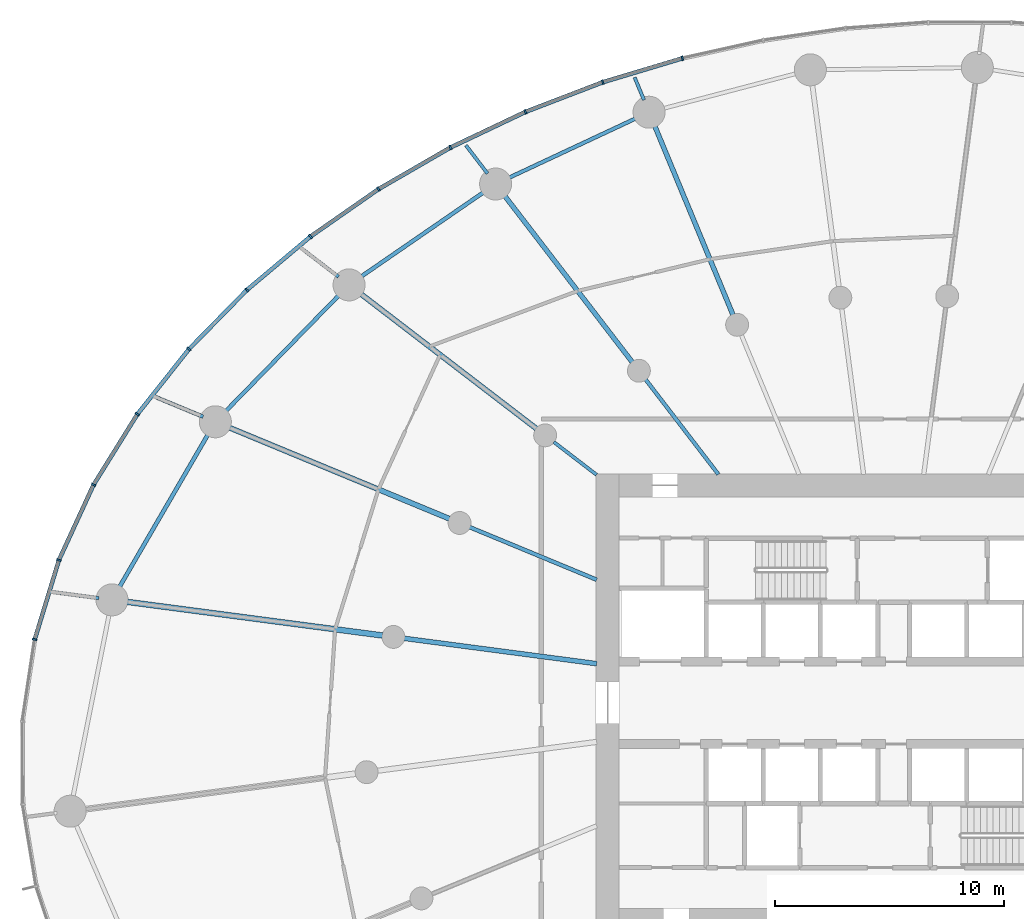
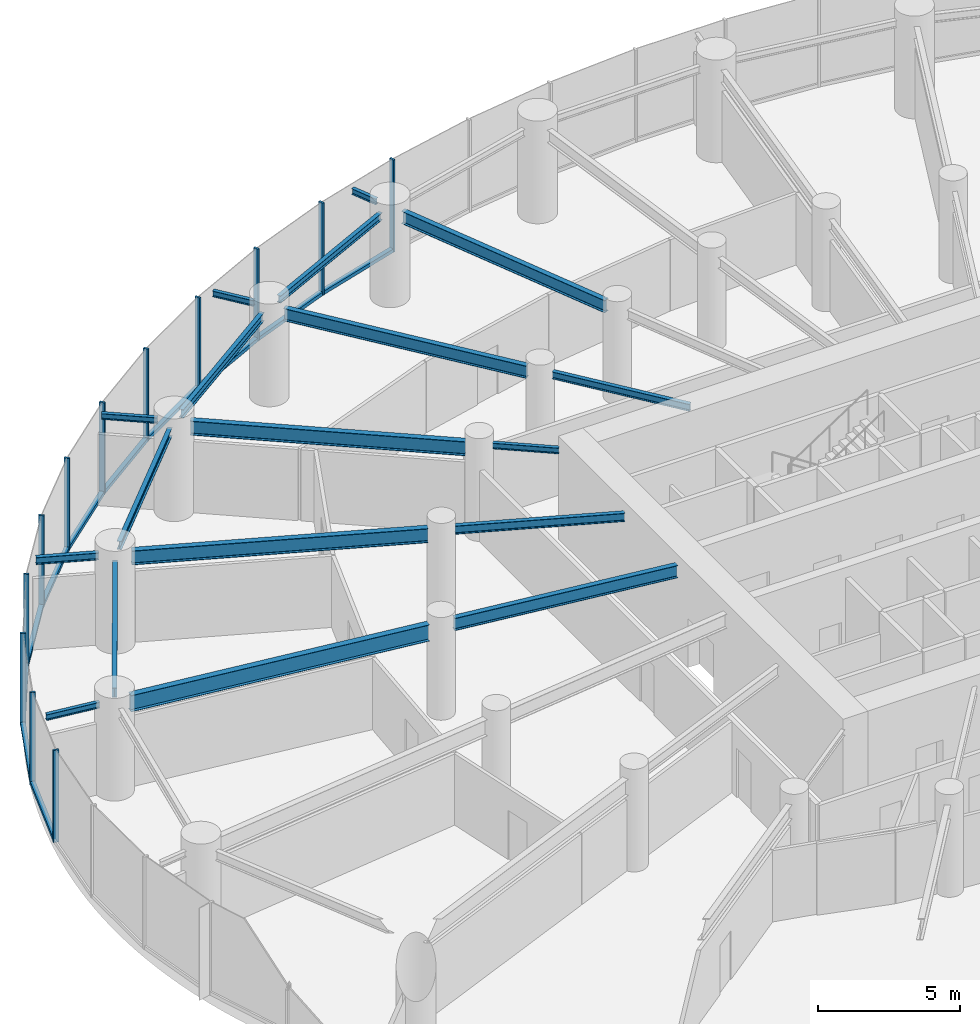
# One storey, part 6 of 19: 23 members, 18 beams, 3 elements without a shape of their own.
"""IFC4 building model written with IfcOpenShell, lengths in metres."""

from ifc_helpers import new_model, si_unit, direction, frame, origin, origin_2d, place, context, subcontext, project, spatial, rectangle, i_section, extrude, source, transform, mapped, material, layer, layer_set, material_profile, profile_set, type_object, element, aggregate, save


model = new_model("IFC4")

# Units and contexts
model_context = context("Model", 3, precision=1e-05, world=origin(), true_north=direction((0.0, 1.0)))
body_context = subcontext(model_context, "Body", "Model", "MODEL_VIEW")
ifc_project = project(units=[si_unit("LENGTHUNIT", "METRE"), si_unit("AREAUNIT", "SQUARE_METRE"), si_unit("VOLUMEUNIT", "CUBIC_METRE"), si_unit("PLANEANGLEUNIT", "RADIAN"), si_unit("MASSUNIT", "GRAM", prefix="KILO")], contexts=[model_context])

# Site, building, storey
site_placement = place(None, origin())
site = spatial("IfcSite", under=ifc_project, at=site_placement, CompositionType="ELEMENT")
building_placement = place(site_placement, origin())
building = spatial("IfcBuilding", under=site, at=building_placement, Name="Spindrift Exchange Tower", CompositionType="ELEMENT")
storey_placement = place(building_placement, frame((0.0, 0.0, 49.0)))
storey = spatial("IfcBuildingStorey", under=building, at=storey_placement, Name="L11", CompositionType="ELEMENT", Elevation=49.0)

# Beams
ifc_material_1 = material(Name="Steel Grade 300", Category="steel")
ifc_material_profile_1 = material_profile(ifc_material_1, i_section(OverallWidth=0.208984375, OverallDepth=0.532958984375, WebThickness=0.01025390625, FlangeThickness=0.015625, FilletRadius=0.013916015625, at=origin_2d()), Name="530UB92.4")
ifc_profile_set_1 = profile_set([ifc_material_profile_1], Name="Steel Grade 300")
beam_type_1 = type_object("IfcBeamType", Name="Floor Beam 530UB92.4 Steel Grade 300", PredefinedType="BEAM", material=ifc_profile_set_1)
shared_shape_1 = source(origin(), body_context, "Body", "SweptSolid", [
    extrude(i_section(OverallWidth=0.208984375, OverallDepth=0.532958984375, WebThickness=0.01025390625, FlangeThickness=0.015625, FilletRadius=0.013916015625, at=origin_2d()), origin(), (0.0, 0.0, 1.0), 8.99658203125),
])
beam_1_placement = place(storey_placement, frame((44.974609375, 64.9609375, 3.68359375), z_axis=(-0.382685731718, 0.923878580085, 0.0), x_axis=(-0.923878580085, -0.382685731718, 0.0)))
element("IfcBeam", 1, at=beam_1_placement, inside=storey, type_object=beam_type_1, Name="L11 radial beam R08B", PredefinedType="BEAM", context=body_context, shape_type="MappedRepresentation", body=[
    mapped(shared_shape_1, transform((0.0, 0.0, 0.0), scale=1.0)),
])
ifc_material_profile_2 = material_profile(ifc_material_1, i_section(OverallWidth=0.1650390625, OverallDepth=0.303955078125, WebThickness=0.006103515625, FlangeThickness=0.01025390625, FilletRadius=0.011474609375, at=origin_2d()), Name="310UB40.4")
ifc_profile_set_2 = profile_set([ifc_material_profile_2], Name="Steel Grade 300")
beam_type_2 = type_object("IfcBeamType", Name="Floor Beam 310UB40.4 Steel Grade 300", PredefinedType="BEAM", material=ifc_profile_set_2)
shared_shape_2 = source(origin(), body_context, "Body", "SweptSolid", [
    extrude(i_section(OverallWidth=0.1650390625, OverallDepth=0.303955078125, WebThickness=0.006103515625, FlangeThickness=0.01025390625, FilletRadius=0.011474609375, at=origin_2d()), origin(), (0.0, 0.0, 1.0), 5.224609375),
])
beam_2_placement = place(storey_placement, frame((44.3388671875, 57.984130859375, 3.798095703125), z_axis=(-0.608741499316, 0.793368632485, 0.0), x_axis=(-0.793368632485, -0.608741499316, 0.0)))
element("IfcBeam", 2, at=beam_2_placement, inside=storey, type_object=beam_type_2, Name="L11 radial beam R09A", PredefinedType="BEAM", context=body_context, shape_type="MappedRepresentation", body=[
    mapped(shared_shape_2, transform((0.0, 0.0, 0.0), scale=1.0)),
])
shared_shape_3 = source(origin(), body_context, "Body", "SweptSolid", [
    extrude(i_section(OverallWidth=0.208984375, OverallDepth=0.532958984375, WebThickness=0.01025390625, FlangeThickness=0.015625, FilletRadius=0.013916015625, at=origin_2d()), origin(), (0.0, 0.0, 1.0), 9.227783203125),
])
beam_3_placement = place(storey_placement, frame((40.573974609375, 62.890625, 3.68359375), z_axis=(-0.608747534474, 0.79336400175, 0.0), x_axis=(-0.79336400175, -0.608747534474, 0.0)))
element("IfcBeam", 3, at=beam_3_placement, inside=storey, type_object=beam_type_1, Name="L11 radial beam R09B", PredefinedType="BEAM", context=body_context, shape_type="MappedRepresentation", body=[
    mapped(shared_shape_3, transform((0.0, 0.0, 0.0), scale=1.0)),
])
ifc_material_profile_3 = material_profile(ifc_material_1, i_section(OverallWidth=0.14599609375, OverallDepth=0.251953125, WebThickness=0.006103515625, FlangeThickness=0.008544921875, FilletRadius=0.011962890625, at=origin_2d()), Name="250UB31.4")
ifc_profile_set_3 = profile_set([ifc_material_profile_3], Name="Steel Grade 300")
beam_type_3 = type_object("IfcBeamType", Name="Floor Beam 250UB31.4 Steel Grade 300", PredefinedType="BEAM", material=ifc_profile_set_3)
shared_shape_4 = source(origin(), body_context, "Body", "SweptSolid", [
    extrude(i_section(OverallWidth=0.14599609375, OverallDepth=0.251953125, WebThickness=0.006103515625, FlangeThickness=0.008544921875, FilletRadius=0.011962890625, at=origin_2d()), origin(), (0.0, 0.0, 1.0), 2.353759765625),
])
beam_4_placement = place(storey_placement, frame((39.015869140625, 57.963134765625, 3.823974609375), z_axis=(-0.793367573265, 0.608742879787, 0.0), x_axis=(-0.608742879787, -0.793367573265, 0.0)))
element("IfcBeam", 4, at=beam_4_placement, inside=storey, type_object=beam_type_3, Name="L11 radial beam R10A", PredefinedType="BEAM", context=body_context, shape_type="MappedRepresentation", body=[
    mapped(shared_shape_4, transform((0.0, 0.0, 0.0), scale=1.0)),
])
ifc_material_profile_4 = material_profile(ifc_material_1, i_section(OverallWidth=0.22802734375, OverallDepth=0.60693359375, WebThickness=0.01123046875, FlangeThickness=0.017333984375, FilletRadius=0.013916015625, at=origin_2d()), Name="610UB113")
ifc_profile_set_4 = profile_set([ifc_material_profile_4], Name="Steel Grade 300")
beam_type_4 = type_object("IfcBeamType", Name="Floor Beam 610UB113 Steel Grade 300", PredefinedType="BEAM", material=ifc_profile_set_4)
shared_shape_5 = source(origin(), body_context, "Body", "SweptSolid", [
    extrude(i_section(OverallWidth=0.22802734375, OverallDepth=0.60693359375, WebThickness=0.01123046875, FlangeThickness=0.017333984375, FilletRadius=0.013916015625, at=origin_2d()), origin(), (0.0, 0.0, 1.0), 9.73974609375),
])
beam_5_placement = place(storey_placement, frame((36.38671875, 59.98046875, 3.646484375), z_axis=(-0.793352119621, 0.608763019814, 0.0), x_axis=(-0.608763019814, -0.793352119621, 0.0)))
element("IfcBeam", 5, at=beam_5_placement, inside=storey, type_object=beam_type_4, Name="L11 radial beam R10B", PredefinedType="BEAM", context=body_context, shape_type="MappedRepresentation", body=[
    mapped(shared_shape_5, transform((0.0, 0.0, 0.0), scale=1.0)),
])
ifc_material_profile_5 = material_profile(ifc_material_1, i_section(OverallWidth=0.172119140625, OverallDepth=0.35888671875, WebThickness=0.008056640625, FlangeThickness=0.012939453125, FilletRadius=0.013916015625, at=origin_2d()), Name="360UB56.7")
ifc_profile_set_5 = profile_set([ifc_material_profile_5], Name="Steel Grade 300")
beam_type_5 = type_object("IfcBeamType", Name="Floor Beam 360UB56.7 Steel Grade 300", PredefinedType="BEAM", material=ifc_profile_set_5)
shared_shape_6 = source(origin(), body_context, "Body", "SweptSolid", [
    extrude(i_section(OverallWidth=0.172119140625, OverallDepth=0.35888671875, WebThickness=0.008056640625, FlangeThickness=0.012939453125, FilletRadius=0.013916015625, at=origin_2d()), origin(), (0.0, 0.0, 1.0), 6.004638671875),
])
beam_6_placement = place(storey_placement, frame((39.0185546875, 53.377197265625, 3.7705078125), z_axis=(-0.923882044911, 0.38267736684, 0.0), x_axis=(-0.38267736684, -0.923882044911, 0.0)))
element("IfcBeam", 6, at=beam_6_placement, inside=storey, type_object=beam_type_5, Name="L11 radial beam R11A", PredefinedType="BEAM", context=body_context, shape_type="MappedRepresentation", body=[
    mapped(shared_shape_6, transform((0.0, 0.0, 0.0), scale=1.0)),
])
shared_shape_7 = source(origin(), body_context, "Body", "SweptSolid", [
    extrude(i_section(OverallWidth=0.22802734375, OverallDepth=0.60693359375, WebThickness=0.01123046875, FlangeThickness=0.017333984375, FilletRadius=0.013916015625, at=origin_2d()), origin(), (0.0, 0.0, 1.0), 10.4912109375),
])
beam_7_placement = place(storey_placement, frame((32.583984375, 56.04248046875, 3.646484375), z_axis=(-0.923885231151, 0.382669674342, 0.0), x_axis=(-0.382669674342, -0.923885231151, 0.0)))
element("IfcBeam", 7, at=beam_7_placement, inside=storey, type_object=beam_type_4, Name="L11 radial beam R11B", PredefinedType="BEAM", context=body_context, shape_type="MappedRepresentation", body=[
    mapped(shared_shape_7, transform((0.0, 0.0, 0.0), scale=1.0)),
])
shared_shape_8 = source(origin(), body_context, "Body", "SweptSolid", [
    extrude(i_section(OverallWidth=0.208984375, OverallDepth=0.532958984375, WebThickness=0.01025390625, FlangeThickness=0.015625, FilletRadius=0.013916015625, at=origin_2d()), origin(), (0.0, 0.0, 1.0), 8.4794921875),
])
beam_8_placement = place(storey_placement, frame((39.019775390625, 49.708984375, 3.68359375), z_axis=(-0.991446551951, 0.13051335037, 0.0), x_axis=(-0.13051335037, -0.991446551951, 0.0)))
element("IfcBeam", 8, at=beam_8_placement, inside=storey, type_object=beam_type_1, Name="L11 radial beam R12A", PredefinedType="BEAM", context=body_context, shape_type="MappedRepresentation", body=[
    mapped(shared_shape_8, transform((0.0, 0.0, 0.0), scale=1.0)),
])
ifc_material_profile_6 = material_profile(ifc_material_1, i_section(OverallWidth=0.25, OverallDepth=0.699951171875, WebThickness=0.008056640625, FlangeThickness=0.011962890625, at=origin_2d()), Name="700WB115")
ifc_profile_set_6 = profile_set([ifc_material_profile_6], Name="Steel Grade 300")
beam_type_6 = type_object("IfcBeamType", Name="Floor Beam 700WB115 Steel Grade 300", PredefinedType="BEAM", material=ifc_profile_set_6)
shared_shape_9 = source(origin(), body_context, "Body", "SweptSolid", [
    extrude(i_section(OverallWidth=0.25, OverallDepth=0.699951171875, WebThickness=0.008056640625, FlangeThickness=0.011962890625, at=origin_2d()), origin(), (0.0, 0.0, 1.0), 11.34423828125),
])
beam_9_placement = place(storey_placement, frame((29.660888671875, 50.94091796875, 3.60009765625), z_axis=(-0.991444770187, 0.130526884848, 0.0), x_axis=(-0.130526884848, -0.991444770187, 0.0)))
element("IfcBeam", 9, at=beam_9_placement, inside=storey, type_object=beam_type_6, Name="L11 radial beam R12B", PredefinedType="BEAM", context=body_context, shape_type="MappedRepresentation", body=[
    mapped(shared_shape_9, transform((0.0, 0.0, 0.0), scale=1.0)),
])
ifc_material_profile_7 = material_profile(ifc_material_1, i_section(OverallWidth=0.1650390625, OverallDepth=0.303955078125, WebThickness=0.006103515625, FlangeThickness=0.01025390625, FilletRadius=0.011474609375, at=origin_2d()), Name="310UB40.4")
ifc_profile_set_7 = profile_set([ifc_material_profile_7], Name="Steel Grade 300")
beam_type_7 = type_object("IfcBeamType", Name="Edge Beam 310UB40.4 Steel Grade 300", PredefinedType="SPANDREL", material=ifc_profile_set_7)
shared_shape_10 = source(origin(), body_context, "Body", "SweptSolid", [
    extrude(i_section(OverallWidth=0.1650390625, OverallDepth=0.303955078125, WebThickness=0.006103515625, FlangeThickness=0.01025390625, FilletRadius=0.011474609375, at=origin_2d()), origin(), (0.0, 0.0, 1.0), 6.243408203125),
])
beam_10_placement = place(storey_placement, frame((40.7841796875, 73.56298828125, 3.798095703125), z_axis=(-0.905791146607, -0.423724437257, 0.0), x_axis=(0.423724437257, -0.905791146607, 0.0)))
element("IfcBeam", 10, at=beam_10_placement, inside=storey, type_object=beam_type_7, Name="L11 edge beam E08", PredefinedType="SPANDREL", context=body_context, shape_type="MappedRepresentation", body=[
    mapped(shared_shape_10, transform((0.0, 0.0, 0.0), scale=1.0)),
])
ifc_material_profile_8 = material_profile(ifc_material_1, i_section(OverallWidth=0.172119140625, OverallDepth=0.35888671875, WebThickness=0.008056640625, FlangeThickness=0.012939453125, FilletRadius=0.013916015625, at=origin_2d()), Name="360UB56.7")
ifc_profile_set_8 = profile_set([ifc_material_profile_8], Name="Steel Grade 300")
beam_type_8 = type_object("IfcBeamType", Name="Edge Beam 360UB56.7 Steel Grade 300", PredefinedType="SPANDREL", material=ifc_profile_set_8)
shared_shape_11 = source(origin(), body_context, "Body", "SweptSolid", [
    extrude(i_section(OverallWidth=0.172119140625, OverallDepth=0.35888671875, WebThickness=0.008056640625, FlangeThickness=0.012939453125, FilletRadius=0.013916015625, at=origin_2d()), origin(), (0.0, 0.0, 1.0), 6.614990234375),
])
beam_11_placement = place(storey_placement, frame((34.125732421875, 70.3427734375, 3.7705078125), z_axis=(-0.823690708835, -0.567039342708, 0.0), x_axis=(0.567039342708, -0.823690708835, 0.0)))
element("IfcBeam", 11, at=beam_11_placement, inside=storey, type_object=beam_type_8, Name="L11 edge beam E09", PredefinedType="SPANDREL", context=body_context, shape_type="MappedRepresentation", body=[
    mapped(shared_shape_11, transform((0.0, 0.0, 0.0), scale=1.0)),
])
shared_shape_12 = source(origin(), body_context, "Body", "SweptSolid", [
    extrude(i_section(OverallWidth=0.172119140625, OverallDepth=0.35888671875, WebThickness=0.008056640625, FlangeThickness=0.012939453125, FilletRadius=0.013916015625, at=origin_2d()), origin(), (0.0, 0.0, 1.0), 7.2041015625),
])
beam_12_placement = place(storey_placement, frame((27.794189453125, 65.847900390625, 3.7705078125), z_axis=(-0.698703626006, -0.715411240481, 0.0), x_axis=(0.715411240481, -0.698703626006, 0.0)))
element("IfcBeam", 12, at=beam_12_placement, inside=storey, type_object=beam_type_8, Name="L11 edge beam E10", PredefinedType="SPANDREL", context=body_context, shape_type="MappedRepresentation", body=[
    mapped(shared_shape_12, transform((0.0, 0.0, 0.0), scale=1.0)),
])
ifc_material_profile_9 = material_profile(ifc_material_1, i_section(OverallWidth=0.177978515625, OverallDepth=0.406005859375, WebThickness=0.0078125, FlangeThickness=0.0126953125, FilletRadius=0.013916015625, at=origin_2d()), Name="410UB59.7")
ifc_profile_set_9 = profile_set([ifc_material_profile_9], Name="Steel Grade 300")
beam_type_9 = type_object("IfcBeamType", Name="Edge Beam 410UB59.7 Steel Grade 300", PredefinedType="SPANDREL", material=ifc_profile_set_9)
shared_shape_13 = source(origin(), body_context, "Body", "SweptSolid", [
    extrude(i_section(OverallWidth=0.177978515625, OverallDepth=0.406005859375, WebThickness=0.0078125, FlangeThickness=0.0126953125, FilletRadius=0.013916015625, at=origin_2d()), origin(), (0.0, 0.0, 1.0), 7.837646484375),
])
beam_13_placement = place(storey_placement, frame((22.064208984375, 59.777587890625, 3.7470703125), z_axis=(-0.50198145655, -0.864878382942, 0.0), x_axis=(0.864878382942, -0.50198145655, 0.0)))
element("IfcBeam", 13, at=beam_13_placement, inside=storey, type_object=beam_type_9, Name="L11 edge beam E11", PredefinedType="SPANDREL", context=body_context, shape_type="MappedRepresentation", body=[
    mapped(shared_shape_13, transform((0.0, 0.0, 0.0), scale=1.0)),
])
ifc_material_profile_10 = material_profile(ifc_material_1, i_section(OverallWidth=0.14599609375, OverallDepth=0.251953125, WebThickness=0.006103515625, FlangeThickness=0.008544921875, FilletRadius=0.011962890625, at=origin_2d()), Name="250UB31.4")
ifc_profile_set_10 = profile_set([ifc_material_profile_10], Name="Steel Grade 300")
beam_type_10 = type_object("IfcBeamType", Name="Cantilever Beam 250UB31.4 Steel Grade 300", PredefinedType="BEAM", material=ifc_profile_set_10)
shared_shape_14 = source(origin(), body_context, "Body", "SweptSolid", [
    extrude(i_section(OverallWidth=0.14599609375, OverallDepth=0.251953125, WebThickness=0.006103515625, FlangeThickness=0.008544921875, FilletRadius=0.011962890625, at=origin_2d()), origin(), (0.0, 0.0, 1.0), 1.0703125),
])
beam_14_placement = place(storey_placement, frame((41.087890625, 74.344482421875, 3.823974609375), z_axis=(-0.382768141022, 0.923844440487, 0.0), x_axis=(-0.923844440487, -0.382768141022, 0.0)))
element("IfcBeam", 14, at=beam_14_placement, inside=storey, type_object=beam_type_10, Name="L11 cantilever beam R08T", PredefinedType="BEAM", context=body_context, shape_type="MappedRepresentation", body=[
    mapped(shared_shape_14, transform((0.0, 0.0, 0.0), scale=1.0)),
])
shared_shape_15 = source(origin(), body_context, "Body", "SweptSolid", [
    extrude(i_section(OverallWidth=0.14599609375, OverallDepth=0.251953125, WebThickness=0.006103515625, FlangeThickness=0.008544921875, FilletRadius=0.011962890625, at=origin_2d()), origin(), (0.0, 0.0, 1.0), 1.551025390625),
])
beam_15_placement = place(storey_placement, frame((34.250244140625, 71.1318359375, 3.823974609375), z_axis=(-0.608728928553, 0.79337827771, 0.0), x_axis=(-0.79337827771, -0.608728928553, 0.0)))
element("IfcBeam", 15, at=beam_15_placement, inside=storey, type_object=beam_type_10, Name="L11 cantilever beam R09T", PredefinedType="BEAM", context=body_context, shape_type="MappedRepresentation", body=[
    mapped(shared_shape_15, transform((0.0, 0.0, 0.0), scale=1.0)),
])
shared_shape_16 = source(origin(), body_context, "Body", "SweptSolid", [
    extrude(i_section(OverallWidth=0.14599609375, OverallDepth=0.251953125, WebThickness=0.006103515625, FlangeThickness=0.008544921875, FilletRadius=0.011962890625, at=origin_2d()), origin(), (0.0, 0.0, 1.0), 1.985107421875),
])
beam_16_placement = place(storey_placement, frame((27.7392578125, 66.615966796875, 3.823974609375), z_axis=(-0.7933549083, 0.608759385535, 0.0), x_axis=(-0.608759385535, -0.7933549083, 0.0)))
element("IfcBeam", 16, at=beam_16_placement, inside=storey, type_object=beam_type_10, Name="L11 cantilever beam R10T", PredefinedType="BEAM", context=body_context, shape_type="MappedRepresentation", body=[
    mapped(shared_shape_16, transform((0.0, 0.0, 0.0), scale=1.0)),
])
ifc_material_profile_11 = material_profile(ifc_material_1, i_section(OverallWidth=0.1650390625, OverallDepth=0.303955078125, WebThickness=0.006103515625, FlangeThickness=0.01025390625, FilletRadius=0.011474609375, at=origin_2d()), Name="310UB40.4")
ifc_profile_set_11 = profile_set([ifc_material_profile_11], Name="Steel Grade 300")
beam_type_11 = type_object("IfcBeamType", Name="Cantilever Beam 310UB40.4 Steel Grade 300", PredefinedType="BEAM", material=ifc_profile_set_11)
shared_shape_17 = source(origin(), body_context, "Body", "SweptSolid", [
    extrude(i_section(OverallWidth=0.1650390625, OverallDepth=0.303955078125, WebThickness=0.006103515625, FlangeThickness=0.01025390625, FilletRadius=0.011474609375, at=origin_2d()), origin(), (0.0, 0.0, 1.0), 2.22412109375),
])
beam_17_placement = place(storey_placement, frame((21.819580078125, 60.501220703125, 3.798095703125), z_axis=(-0.923896434598, 0.38264262457, 0.0), x_axis=(-0.38264262457, -0.923896434598, 0.0)))
element("IfcBeam", 17, at=beam_17_placement, inside=storey, type_object=beam_type_11, Name="L11 cantilever beam R11T", PredefinedType="BEAM", context=body_context, shape_type="MappedRepresentation", body=[
    mapped(shared_shape_17, transform((0.0, 0.0, 0.0), scale=1.0)),
])
shared_shape_18 = source(origin(), body_context, "Body", "SweptSolid", [
    extrude(i_section(OverallWidth=0.14599609375, OverallDepth=0.251953125, WebThickness=0.006103515625, FlangeThickness=0.008544921875, FilletRadius=0.011962890625, at=origin_2d()), origin(), (0.0, 0.0, 1.0), 2.016845703125),
])
beam_18_placement = place(storey_placement, frame((17.263916015625, 52.572998046875, 3.823974609375), z_axis=(-0.991448526078, 0.130498353005, 0.0), x_axis=(-0.130498353005, -0.991448526078, 0.0)))
element("IfcBeam", 18, at=beam_18_placement, inside=storey, type_object=beam_type_10, Name="L11 cantilever beam R12T", PredefinedType="BEAM", context=body_context, shape_type="MappedRepresentation", body=[
    mapped(shared_shape_18, transform((0.0, 0.0, 0.0), scale=1.0)),
])

# Curtain wall, members
ifc_material_2 = material(Name="Fritted laminated glass with bronze frame", Category="glass")
ifc_layer = layer(ifc_material_2, 0.199951171875)
ifc_layer_set = layer_set([ifc_layer], Name="ZONE 1 BRONZE FRITTED WALL")
curtain_wall_type = type_object("IfcCurtainWallType", Name="ZONE 1 BRONZE FRITTED WALL", PredefinedType="NOTDEFINED", material=ifc_layer_set)
curtain_wall_1_placement = place(storey_placement, origin())
curtain_wall_1 = element("IfcCurtainWall", 19, at=curtain_wall_1_placement, inside=storey, type_object=curtain_wall_type, Name="L11 Zone 1 Bronze Fritted Wall run 3", PredefinedType="NOTDEFINED")
ifc_material_3 = material(Name="Bronze anodised aluminium", Category="aluminium")
ifc_material_profile_12 = material_profile(ifc_material_3, rectangle(XDim=0.080078125, YDim=0.199951171875, at=origin_2d()), Name="ZONE 1 BRONZE FRITTED WALL MULLION 80X200")
ifc_profile_set_12 = profile_set([ifc_material_profile_12], Name="Bronze anodised aluminium")
member_type_1 = type_object("IfcMemberType", Name="ZONE 1 BRONZE FRITTED WALL MULLION 80X200", PredefinedType="MULLION", material=ifc_profile_set_12)
shared_shape_19 = source(origin(), body_context, "Body", "SweptSolid", [
    extrude(rectangle(XDim=0.080078125, YDim=0.199951171875, at=origin_2d()), origin(), (0.0, 0.0, 1.0), 3.949951171875),
])
member_1_placement = place(storey_placement, frame((42.765380859375, 76.16650390625, 0.0), z_axis=(0.0, 0.0, 1.0), x_axis=(-0.967707686411, -0.252075055611, 0.0)))
member_1 = element("IfcMember", 20, at=member_1_placement, type_object=member_type_1, Name="L11 mullion CW-1.17", PredefinedType="MULLION", context=body_context, shape_type="MappedRepresentation", body=[
    mapped(shared_shape_19, transform((0.0, 0.0, 0.0), scale=1.0)),
])
member_2_placement = place(storey_placement, frame((39.291015625, 75.123779296875, 0.0), z_axis=(0.0, 0.0, 1.0), x_axis=(-0.946362936676, -0.323105543261, 0.0)))
member_2 = element("IfcMember", 21, at=member_2_placement, type_object=member_type_1, Name="L11 mullion CW-1.18", PredefinedType="MULLION", context=body_context, shape_type="MappedRepresentation", body=[
    mapped(shared_shape_19, transform((0.0, 0.0, 0.0), scale=1.0)),
])

curtain_wall_2_placement = place(storey_placement, origin())
curtain_wall_2 = element("IfcCurtainWall", 22, at=curtain_wall_2_placement, inside=storey, type_object=curtain_wall_type, Name="L11 Zone 1 Bronze Fritted Wall run 4", PredefinedType="NOTDEFINED")
member_3_placement = place(storey_placement, frame((35.904541015625, 73.823974609375, 0.0), z_axis=(0.0, 0.0, 1.0), x_axis=(-0.919087174323, -0.394054267829, 0.0)))
member_3 = element("IfcMember", 23, at=member_3_placement, type_object=member_type_1, Name="L11 mullion CW-1.19", PredefinedType="MULLION", context=body_context, shape_type="MappedRepresentation", body=[
    mapped(shared_shape_19, transform((0.0, 0.0, 0.0), scale=1.0)),
])
member_4_placement = place(storey_placement, frame((32.62841796875, 72.26708984375, 0.0), z_axis=(0.0, 0.0, 1.0), x_axis=(-0.885211059092, -0.465189618179, 0.0)))
member_4 = element("IfcMember", 24, at=member_4_placement, type_object=member_type_1, Name="L11 mullion CW-1.20", PredefinedType="MULLION", context=body_context, shape_type="MappedRepresentation", body=[
    mapped(shared_shape_19, transform((0.0, 0.0, 0.0), scale=1.0)),
])
member_5_placement = place(storey_placement, frame((29.488037109375, 70.451904296875, 0.0), z_axis=(0.0, 0.0, 1.0), x_axis=(-0.843821629879, -0.536623757346, 0.0)))
member_5 = element("IfcMember", 25, at=member_5_placement, type_object=member_type_1, Name="L11 mullion CW-1.21", PredefinedType="MULLION", context=body_context, shape_type="MappedRepresentation", body=[
    mapped(shared_shape_19, transform((0.0, 0.0, 0.0), scale=1.0)),
])
member_6_placement = place(storey_placement, frame((26.5126953125, 68.377685546875, 0.0), z_axis=(0.0, 0.0, 1.0), x_axis=(-0.793738591104, -0.608259031163, 0.0)))
member_6 = element("IfcMember", 26, at=member_6_placement, type_object=member_type_1, Name="L11 mullion CW-1.22", PredefinedType="MULLION", context=body_context, shape_type="MappedRepresentation", body=[
    mapped(shared_shape_19, transform((0.0, 0.0, 0.0), scale=1.0)),
])
member_7_placement = place(storey_placement, frame((23.736083984375, 66.044189453125, 0.0), z_axis=(0.0, 0.0, 1.0), x_axis=(-0.733474727986, -0.679716722911, 0.0)))
member_7 = element("IfcMember", 27, at=member_7_placement, type_object=member_type_1, Name="L11 mullion CW-1.23", PredefinedType="MULLION", context=body_context, shape_type="MappedRepresentation", body=[
    mapped(shared_shape_19, transform((0.0, 0.0, 0.0), scale=1.0)),
])
member_8_placement = place(storey_placement, frame((21.198486328125, 63.453125, 0.0), z_axis=(0.0, 0.0, 1.0), x_axis=(-0.661302008539, -0.75011975944, 0.0)))
member_8 = element("IfcMember", 28, at=member_8_placement, type_object=member_type_1, Name="L11 mullion CW-1.24", PredefinedType="MULLION", context=body_context, shape_type="MappedRepresentation", body=[
    mapped(shared_shape_19, transform((0.0, 0.0, 0.0), scale=1.0)),
])

curtain_wall_3_placement = place(storey_placement, origin())
curtain_wall_3 = element("IfcCurtainWall", 29, at=curtain_wall_3_placement, inside=storey, type_object=curtain_wall_type, Name="L11 Zone 1 Bronze Fritted Wall run 5", PredefinedType="NOTDEFINED")
member_9_placement = place(storey_placement, frame((18.9462890625, 60.611083984375, 0.0), z_axis=(0.0, 0.0, 1.0), x_axis=(-0.575320498731, -0.817928067583, 0.0)))
member_9 = element("IfcMember", 30, at=member_9_placement, type_object=member_type_1, Name="L11 mullion CW-1.25", PredefinedType="MULLION", context=body_context, shape_type="MappedRepresentation", body=[
    mapped(shared_shape_19, transform((0.0, 0.0, 0.0), scale=1.0)),
])
member_10_placement = place(storey_placement, frame((17.03271484375, 57.531005859375, 0.0), z_axis=(0.0, 0.0, 1.0), x_axis=(-0.473732609561, -0.880668731498, 0.0)))
member_10 = element("IfcMember", 31, at=member_10_placement, type_object=member_type_1, Name="L11 mullion CW-1.26", PredefinedType="MULLION", context=body_context, shape_type="MappedRepresentation", body=[
    mapped(shared_shape_19, transform((0.0, 0.0, 0.0), scale=1.0)),
])
member_11_placement = place(storey_placement, frame((15.517578125, 54.237060546875, 0.0), z_axis=(0.0, 0.0, 1.0), x_axis=(-0.355433372721, -0.934701619532, 0.0)))
member_11 = element("IfcMember", 32, at=member_11_placement, type_object=member_type_1, Name="L11 mullion CW-1.27", PredefinedType="MULLION", context=body_context, shape_type="MappedRepresentation", body=[
    mapped(shared_shape_19, transform((0.0, 0.0, 0.0), scale=1.0)),
])
member_12_placement = place(storey_placement, frame((14.46142578125, 50.76904296875, 0.0), z_axis=(0.0, 0.0, 1.0), x_axis=(-0.220776018113, -0.975324535642, 0.0)))
member_12 = element("IfcMember", 33, at=member_12_placement, type_object=member_type_1, Name="L11 mullion CW-1.28", PredefinedType="MULLION", context=body_context, shape_type="MappedRepresentation", body=[
    mapped(shared_shape_19, transform((0.0, 0.0, 0.0), scale=1.0)),
])
ifc_material_profile_13 = material_profile(ifc_material_3, rectangle(XDim=0.179931640625, YDim=0.14990234375, at=origin_2d()), Name="ZONE 1 BRONZE FRITTED WALL TRANSOM 180X150")
ifc_profile_set_13 = profile_set([ifc_material_profile_13], Name="Bronze anodised aluminium")
member_type_2 = type_object("IfcMemberType", Name="ZONE 1 BRONZE FRITTED WALL TRANSOM 180X150", PredefinedType="USERDEFINED", material=ifc_profile_set_13)
shared_shape_20 = source(origin(), body_context, "Body", "SweptSolid", [
    extrude(rectangle(XDim=0.179931640625, YDim=0.14990234375, at=origin_2d()), origin(), (0.0, 0.0, 1.0), 3.545654296875),
])
member_13_placement = place(storey_placement, frame((17.01611328125, 57.49462890625, 0.074951171875), z_axis=(-0.417948798308, -0.908470584, 0.0), x_axis=(0.908470584, -0.417948798308, 0.0)))
member_13 = element("IfcMember", 34, at=member_13_placement, type_object=member_type_2, Name="L11 transom CW-1.26", ObjectType="TRANSOM", PredefinedType="USERDEFINED", context=body_context, shape_type="MappedRepresentation", body=[
    mapped(shared_shape_20, transform((0.0, 0.0, 0.0), scale=1.0)),
])

# Member
shared_shape_21 = source(origin(), body_context, "Body", "SweptSolid", [
    extrude(rectangle(XDim=0.179931640625, YDim=0.14990234375, at=origin_2d()), origin(), (0.0, 0.0, 1.0), 3.54736328125),
])
member_14_placement = place(storey_placement, frame((42.72705078125, 76.15478515625, 0.074951171875), z_axis=(-0.957809235644, -0.287404711364, 0.0), x_axis=(0.287404711364, -0.957809235644, 0.0)))
member_14 = element("IfcMember", 35, at=member_14_placement, type_object=member_type_2, Name="L11 transom CW-1.17", ObjectType="TRANSOM", PredefinedType="USERDEFINED", context=body_context, shape_type="MappedRepresentation", body=[
    mapped(shared_shape_21, transform((0.0, 0.0, 0.0), scale=1.0)),
])

member_15_placement = place(storey_placement, frame((39.253662109375, 75.109375, 0.074951171875), z_axis=(-0.933606113088, -0.358301026519, 0.0), x_axis=(0.358301026519, -0.933606113088, 0.0)))
member_15 = element("IfcMember", 36, at=member_15_placement, type_object=member_type_2, Name="L11 transom CW-1.18", ObjectType="TRANSOM", PredefinedType="USERDEFINED", context=body_context, shape_type="MappedRepresentation", body=[
    mapped(shared_shape_21, transform((0.0, 0.0, 0.0), scale=1.0)),
])

aggregate(curtain_wall_1, [member_1, member_14, member_2, member_15])

member_16_placement = place(storey_placement, frame((35.868408203125, 73.806884765625, 0.074951171875), z_axis=(-0.903182124679, -0.429257556323, 0.0), x_axis=(0.429257556323, -0.903182124679, 0.0)))
member_16 = element("IfcMember", 37, at=member_16_placement, type_object=member_type_2, Name="L11 transom CW-1.19", ObjectType="TRANSOM", PredefinedType="USERDEFINED", context=body_context, shape_type="MappedRepresentation", body=[
    mapped(shared_shape_21, transform((0.0, 0.0, 0.0), scale=1.0)),
])

shared_shape_22 = source(origin(), body_context, "Body", "SweptSolid", [
    extrude(rectangle(XDim=0.179931640625, YDim=0.14990234375, at=origin_2d()), origin(), (0.0, 0.0, 1.0), 3.547119140625),
])
member_17_placement = place(storey_placement, frame((32.59375, 72.2470703125, 0.074951171875), z_axis=(-0.865771641321, -0.500439272124, 0.0), x_axis=(0.500439272124, -0.865771641321, 0.0)))
member_17 = element("IfcMember", 38, at=member_17_placement, type_object=member_type_2, Name="L11 transom CW-1.20", ObjectType="TRANSOM", PredefinedType="USERDEFINED", context=body_context, shape_type="MappedRepresentation", body=[
    mapped(shared_shape_22, transform((0.0, 0.0, 0.0), scale=1.0)),
])

member_18_placement = place(storey_placement, frame((29.455078125, 70.42919921875, 0.074951171875), z_axis=(-0.820316949205, -0.571909173599, 0.0), x_axis=(0.571909173599, -0.820316949205, 0.0)))
member_18 = element("IfcMember", 39, at=member_18_placement, type_object=member_type_2, Name="L11 transom CW-1.21", ObjectType="TRANSOM", PredefinedType="USERDEFINED", context=body_context, shape_type="MappedRepresentation", body=[
    mapped(shared_shape_22, transform((0.0, 0.0, 0.0), scale=1.0)),
])

member_19_placement = place(storey_placement, frame((26.48193359375, 68.35205078125, 0.074951171875), z_axis=(-0.765517715264, -0.643414817685, 0.0), x_axis=(0.643414817685, -0.765517715264, 0.0)))
member_19 = element("IfcMember", 40, at=member_19_placement, type_object=member_type_2, Name="L11 transom CW-1.22", ObjectType="TRANSOM", PredefinedType="USERDEFINED", context=body_context, shape_type="MappedRepresentation", body=[
    mapped(shared_shape_22, transform((0.0, 0.0, 0.0), scale=1.0)),
])

shared_shape_23 = source(origin(), body_context, "Body", "SweptSolid", [
    extrude(rectangle(XDim=0.179931640625, YDim=0.14990234375, at=origin_2d()), origin(), (0.0, 0.0, 1.0), 3.54638671875),
])
member_20_placement = place(storey_placement, frame((21.173583984375, 63.421875, 0.074951171875), z_axis=(-0.621078446608, -0.783748405523, 0.0), x_axis=(0.783748405523, -0.621078446608, 0.0)))
member_20 = element("IfcMember", 41, at=member_20_placement, type_object=member_type_2, Name="L11 transom CW-1.24", ObjectType="TRANSOM", PredefinedType="USERDEFINED", context=body_context, shape_type="MappedRepresentation", body=[
    mapped(shared_shape_23, transform((0.0, 0.0, 0.0), scale=1.0)),
])

shared_shape_24 = source(origin(), body_context, "Body", "SweptSolid", [
    extrude(rectangle(XDim=0.179931640625, YDim=0.14990234375, at=origin_2d()), origin(), (0.0, 0.0, 1.0), 3.545166015625),
])
member_21_placement = place(storey_placement, frame((15.505859375, 54.19873046875, 0.074951171875), z_axis=(-0.291306852414, -0.95662966593, 0.0), x_axis=(0.95662966593, -0.291306852414, 0.0)))
member_21 = element("IfcMember", 42, at=member_21_placement, type_object=member_type_2, Name="L11 transom CW-1.27", ObjectType="TRANSOM", PredefinedType="USERDEFINED", context=body_context, shape_type="MappedRepresentation", body=[
    mapped(shared_shape_24, transform((0.0, 0.0, 0.0), scale=1.0)),
])

shared_shape_25 = source(origin(), body_context, "Body", "SweptSolid", [
    extrude(rectangle(XDim=0.179931640625, YDim=0.14990234375, at=origin_2d()), origin(), (0.0, 0.0, 1.0), 3.546630859375),
])
member_22_placement = place(storey_placement, frame((23.7080078125, 66.015625, 0.074951171875), z_axis=(-0.699667988496, -0.714468127962, 0.0), x_axis=(0.714468127962, -0.699667988496, 0.0)))
member_22 = element("IfcMember", 43, at=member_22_placement, type_object=member_type_2, Name="L11 transom CW-1.23", ObjectType="TRANSOM", PredefinedType="USERDEFINED", context=body_context, shape_type="MappedRepresentation", body=[
    mapped(shared_shape_25, transform((0.0, 0.0, 0.0), scale=1.0)),
])

aggregate(curtain_wall_2, [member_3, member_16, member_4, member_17, member_5, member_18, member_6, member_19, member_7, member_22, member_8, member_20])

shared_shape_26 = source(origin(), body_context, "Body", "SweptSolid", [
    extrude(rectangle(XDim=0.179931640625, YDim=0.14990234375, at=origin_2d()), origin(), (0.0, 0.0, 1.0), 3.5458984375),
])
member_23_placement = place(storey_placement, frame((18.925048828125, 60.576904296875, 0.074951171875), z_axis=(-0.527688470569, -0.849437977741, 0.0), x_axis=(0.849437977741, -0.527688470569, 0.0)))
member_23 = element("IfcMember", 44, at=member_23_placement, type_object=member_type_2, Name="L11 transom CW-1.25", ObjectType="TRANSOM", PredefinedType="USERDEFINED", context=body_context, shape_type="MappedRepresentation", body=[
    mapped(shared_shape_26, transform((0.0, 0.0, 0.0), scale=1.0)),
])

aggregate(curtain_wall_3, [member_9, member_23, member_10, member_13, member_11, member_21, member_12])

save(model, "model.ifc")
